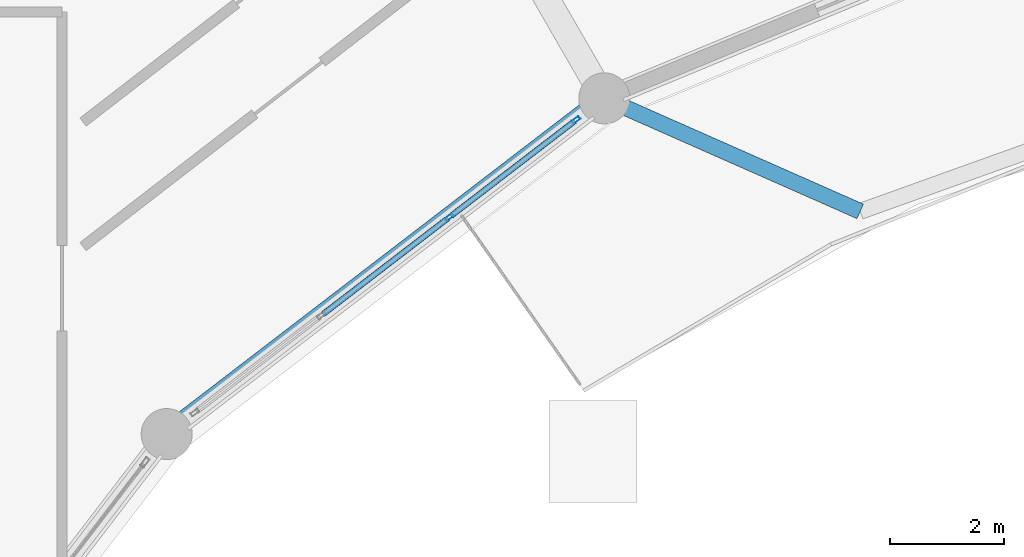
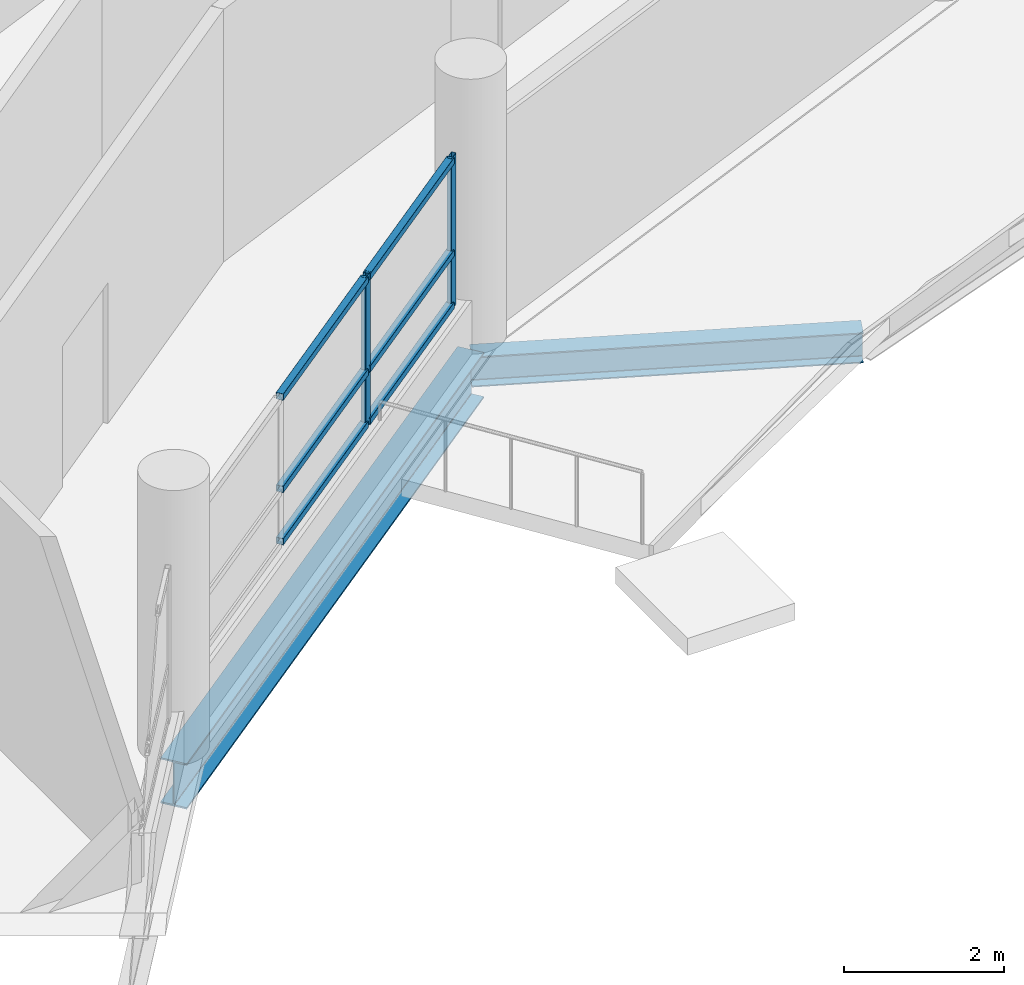
# One storey, part 54 of 128: 8 members, 2 beams, 1 element without a shape of its own.
"""IFC4 building model written with IfcOpenShell, lengths in metres."""

from ifc_helpers import new_model, si_unit, direction, frame, origin, origin_2d, place, context, subcontext, project, spatial, hollow_rectangle, i_section, extrude, material, layer, layer_set, material_profile, profile_set, type_object, element, aggregate, save


model = new_model("IFC4")

# Units and contexts
model_context = context("Model", 3, precision=1e-05, world=origin(), true_north=direction((0.0, 1.0)))
body_context = subcontext(model_context, "Body", "Model", "MODEL_VIEW")
ifc_project = project(units=[si_unit("LENGTHUNIT", "METRE"), si_unit("AREAUNIT", "SQUARE_METRE"), si_unit("VOLUMEUNIT", "CUBIC_METRE"), si_unit("PLANEANGLEUNIT", "RADIAN"), si_unit("MASSUNIT", "GRAM", prefix="KILO")], contexts=[model_context])

# Site, building, storey
site_placement = place(None, origin())
site = spatial("IfcSite", under=ifc_project, at=site_placement, CompositionType="ELEMENT")
building_placement = place(site_placement, origin())
building = spatial("IfcBuilding", under=site, at=building_placement, Name="Vespera Passage Community Centre", CompositionType="ELEMENT")
storey_placement = place(building_placement, frame((0.0, 0.0, 4.5)))
storey = spatial("IfcBuildingStorey", under=building, at=storey_placement, Name="L01", CompositionType="ELEMENT", Elevation=4.5)

# Beams
ifc_material_1 = material(Name="Steel ASTM A992 Grade 50", Category="steel")
ifc_material_profile_1 = material_profile(ifc_material_1, i_section(OverallWidth=0.280517578125, OverallDepth=0.46240234375, WebThickness=0.0107421875, FlangeThickness=0.017333984375, FilletRadius=0.01025390625, at=origin_2d()), Name="W18X76")
ifc_profile_set_1 = profile_set([ifc_material_profile_1], Name="Steel ASTM A992 Grade 50")
beam_type_1 = type_object("IfcBeamType", Name="BM-RB-W18X76E", PredefinedType="SPANDREL", material=ifc_profile_set_1)
beam_1_placement = place(storey_placement, frame((63.90576171875, 95.725341796875, -0.4912109375), z_axis=(-0.914704499111, 0.404123346649, 0.0), x_axis=(-0.404123346649, -0.914704499111, 0.0)))
element("IfcBeam", 1, at=beam_1_placement, inside=storey, type_object=beam_type_1, Name="Courtyard Terrace Radial Beam 3", PredefinedType="SPANDREL", context=body_context, shape_type="SweptSolid", body=[
    extrude(i_section(OverallWidth=0.280517578125, OverallDepth=0.46240234375, WebThickness=0.0107421875, FlangeThickness=0.017333984375, FilletRadius=0.01025390625, at=origin_2d()), origin(), (0.0, 0.0, 1.0), 4.926025390625),
])
ifc_material_2 = material(Name="Steel ASTM A992 Grade 50", Category="steel")
ifc_material_profile_2 = material_profile(ifc_material_2, i_section(OverallWidth=0.3544921875, OverallDepth=0.695556640625, WebThickness=0.015380859375, FlangeThickness=0.024658203125, FilletRadius=0.01513671875, at=origin_2d()), Name="W27X146")
ifc_profile_set_2 = profile_set([ifc_material_profile_2], Name="Steel ASTM A992 Grade 50")
beam_type_2 = type_object("IfcBeamType", Name="BM-SP-W27X146E", PredefinedType="SPANDREL", material=ifc_profile_set_2)
beam_2_placement = place(storey_placement, frame((59.39990234375, 97.716064453125, -0.587890625), z_axis=(-0.793359869694, -0.60875291963, 0.0), x_axis=(0.60875291963, -0.793359869694, 0.0)))
element("IfcBeam", 2, at=beam_2_placement, inside=storey, type_object=beam_type_2, Name="V4 L01 Inner Spandrel 8", PredefinedType="SPANDREL", context=body_context, shape_type="SweptSolid", body=[
    extrude(i_section(OverallWidth=0.3544921875, OverallDepth=0.695556640625, WebThickness=0.015380859375, FlangeThickness=0.024658203125, FilletRadius=0.01513671875, at=origin_2d()), origin(), (0.0, 0.0, 1.0), 9.7109375),
])

# Curtain wall, members
ifc_material_3 = material(Name="Anodized aluminium 6063-T6", Category="aluminium")
ifc_layer = layer(ifc_material_3, 0.159912109375)
ifc_layer_set = layer_set([ifc_layer], Name="Anodized aluminium 6063-T6")
curtain_wall_type = type_object("IfcCurtainWallType", Name="CW-17E", PredefinedType="NOTDEFINED", material=ifc_layer_set)
curtain_wall_placement = place(storey_placement, origin())
curtain_wall = element("IfcCurtainWall", 3, at=curtain_wall_placement, inside=storey, type_object=curtain_wall_type, Name="V4 L01 Inner Court Curtain Wall 8", PredefinedType="NOTDEFINED")
ifc_material_4 = material(Name="Anodized aluminium 6063-T6", Category="aluminium")
ifc_material_profile_3 = material_profile(ifc_material_4, hollow_rectangle(XDim=0.06494140625, YDim=0.14990234375, WallThickness=0.00390625, InnerFilletRadius=0.001953125, OuterFilletRadius=0.00390625, at=origin_2d()), Name="ALU150X65X4")
ifc_profile_set_3 = profile_set([ifc_material_profile_3], Name="Anodized aluminium 6063-T6")
member_type_1 = type_object("IfcMemberType", Name="MB-CWM-150E", PredefinedType="MULLION", material=ifc_profile_set_3)
member_1_placement = place(storey_placement, frame((58.903564453125, 97.335205078125, 0.820068359375), z_axis=(0.0, 0.0, 1.0), x_axis=(0.608755087843, -0.793358205999, 0.0)))
member_1 = element("IfcMember", 4, at=member_1_placement, type_object=member_type_1, Name="CW-17E mullion 1", PredefinedType="MULLION", context=body_context, shape_type="SweptSolid", body=[
    extrude(hollow_rectangle(XDim=0.06494140625, YDim=0.14990234375, WallThickness=0.00390625, InnerFilletRadius=0.001953125, OuterFilletRadius=0.00390625, at=origin_2d()), origin(), (0.0, 0.0, 1.0), 2.309326171875),
])
member_2_placement = place(storey_placement, frame((56.675048828125, 95.625244140625, 0.820068359375), z_axis=(0.0, 0.0, 1.0), x_axis=(0.608755087843, -0.793358205999, 0.0)))
member_2 = element("IfcMember", 5, at=member_2_placement, type_object=member_type_1, Name="CW-17E mullion 2", PredefinedType="MULLION", context=body_context, shape_type="SweptSolid", body=[
    extrude(hollow_rectangle(XDim=0.06494140625, YDim=0.14990234375, WallThickness=0.00390625, InnerFilletRadius=0.001953125, OuterFilletRadius=0.00390625, at=origin_2d()), origin(), (0.0, 0.0, 1.0), 2.309326171875),
])
ifc_material_5 = material(Name="Anodized aluminium 6063-T6", Category="aluminium")
ifc_material_profile_4 = material_profile(ifc_material_5, hollow_rectangle(XDim=0.10009765625, YDim=0.10009765625, WallThickness=0.00390625, InnerFilletRadius=0.001953125, OuterFilletRadius=0.00390625, at=origin_2d()), Name="ALU100X100X4")
ifc_profile_set_4 = profile_set([ifc_material_profile_4], Name="Anodized aluminium 6063-T6")
member_type_2 = type_object("IfcMemberType", Name="MB-CWT-100E", PredefinedType="USERDEFINED", material=ifc_profile_set_4)
member_3_placement = place(storey_placement, frame((58.8779296875, 97.3154296875, 0.8701171875), z_axis=(-0.793397254086, -0.608704195162, 0.0), x_axis=(0.608704195162, -0.793397254086, 0.0)))
member_3 = element("IfcMember", 6, at=member_3_placement, type_object=member_type_2, Name="CW-17E transom 1.1", ObjectType="TRANSOM", PredefinedType="USERDEFINED", context=body_context, shape_type="SweptSolid", body=[
    extrude(hollow_rectangle(XDim=0.10009765625, YDim=0.10009765625, WallThickness=0.00390625, InnerFilletRadius=0.001953125, OuterFilletRadius=0.00390625, at=origin_2d()), origin(), (0.0, 0.0, 1.0), 2.744140625),
])
member_4_placement = place(storey_placement, frame((58.8779296875, 97.3154296875, 1.669921875), z_axis=(-0.793397254086, -0.608704195162, 0.0), x_axis=(0.608704195162, -0.793397254086, 0.0)))
member_4 = element("IfcMember", 7, at=member_4_placement, type_object=member_type_2, Name="CW-17E transom 1.2", ObjectType="TRANSOM", PredefinedType="USERDEFINED", context=body_context, shape_type="SweptSolid", body=[
    extrude(hollow_rectangle(XDim=0.10009765625, YDim=0.10009765625, WallThickness=0.00390625, InnerFilletRadius=0.001953125, OuterFilletRadius=0.00390625, at=origin_2d()), origin(), (0.0, 0.0, 1.0), 2.744140625),
])
member_5_placement = place(storey_placement, frame((58.8779296875, 97.3154296875, 3.07958984375), z_axis=(-0.793397254086, -0.608704195162, 0.0), x_axis=(0.608704195162, -0.793397254086, 0.0)))
member_5 = element("IfcMember", 8, at=member_5_placement, type_object=member_type_2, Name="CW-17E transom 1.3", ObjectType="TRANSOM", PredefinedType="USERDEFINED", context=body_context, shape_type="SweptSolid", body=[
    extrude(hollow_rectangle(XDim=0.10009765625, YDim=0.10009765625, WallThickness=0.00390625, InnerFilletRadius=0.001953125, OuterFilletRadius=0.00390625, at=origin_2d()), origin(), (0.0, 0.0, 1.0), 2.744140625),
])
member_6_placement = place(storey_placement, frame((56.649169921875, 95.60546875, 0.8701171875), z_axis=(-0.793335989748, -0.60878404001, 0.0), x_axis=(0.60878404001, -0.793335989748, 0.0)))
member_6 = element("IfcMember", 9, at=member_6_placement, type_object=member_type_2, Name="CW-17E transom 2.1", ObjectType="TRANSOM", PredefinedType="USERDEFINED", context=body_context, shape_type="SweptSolid", body=[
    extrude(hollow_rectangle(XDim=0.10009765625, YDim=0.10009765625, WallThickness=0.00390625, InnerFilletRadius=0.001953125, OuterFilletRadius=0.00390625, at=origin_2d()), origin(), (0.0, 0.0, 1.0), 2.776611328125),
])
member_7_placement = place(storey_placement, frame((56.649169921875, 95.60546875, 1.669921875), z_axis=(-0.793335989748, -0.60878404001, 0.0), x_axis=(0.60878404001, -0.793335989748, 0.0)))
member_7 = element("IfcMember", 10, at=member_7_placement, type_object=member_type_2, Name="CW-17E transom 2.2", ObjectType="TRANSOM", PredefinedType="USERDEFINED", context=body_context, shape_type="SweptSolid", body=[
    extrude(hollow_rectangle(XDim=0.10009765625, YDim=0.10009765625, WallThickness=0.00390625, InnerFilletRadius=0.001953125, OuterFilletRadius=0.00390625, at=origin_2d()), origin(), (0.0, 0.0, 1.0), 2.776611328125),
])
member_8_placement = place(storey_placement, frame((56.649169921875, 95.60546875, 3.07958984375), z_axis=(-0.793335989748, -0.60878404001, 0.0), x_axis=(0.60878404001, -0.793335989748, 0.0)))
member_8 = element("IfcMember", 11, at=member_8_placement, type_object=member_type_2, Name="CW-17E transom 2.3", ObjectType="TRANSOM", PredefinedType="USERDEFINED", context=body_context, shape_type="SweptSolid", body=[
    extrude(hollow_rectangle(XDim=0.10009765625, YDim=0.10009765625, WallThickness=0.00390625, InnerFilletRadius=0.001953125, OuterFilletRadius=0.00390625, at=origin_2d()), origin(), (0.0, 0.0, 1.0), 2.776611328125),
])
aggregate(curtain_wall, [member_1, member_2, member_3, member_4, member_5, member_6, member_7, member_8])

save(model, "model.ifc")
